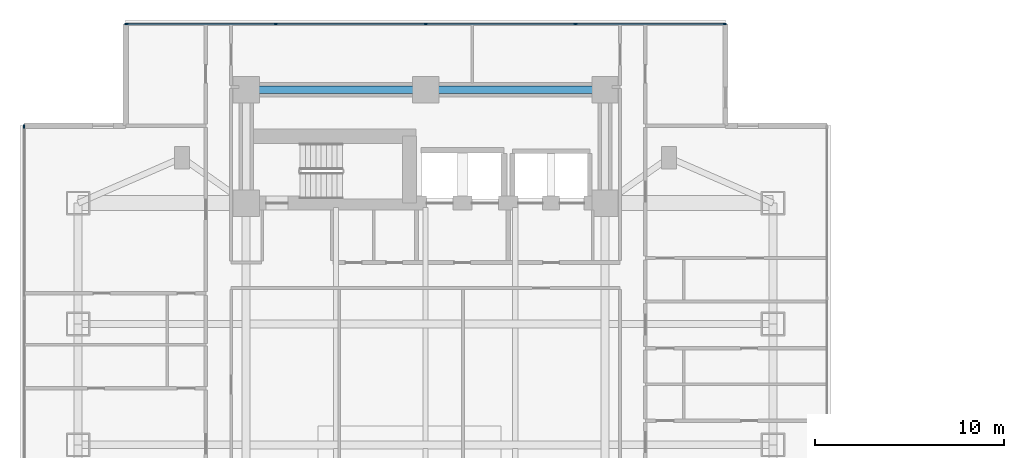
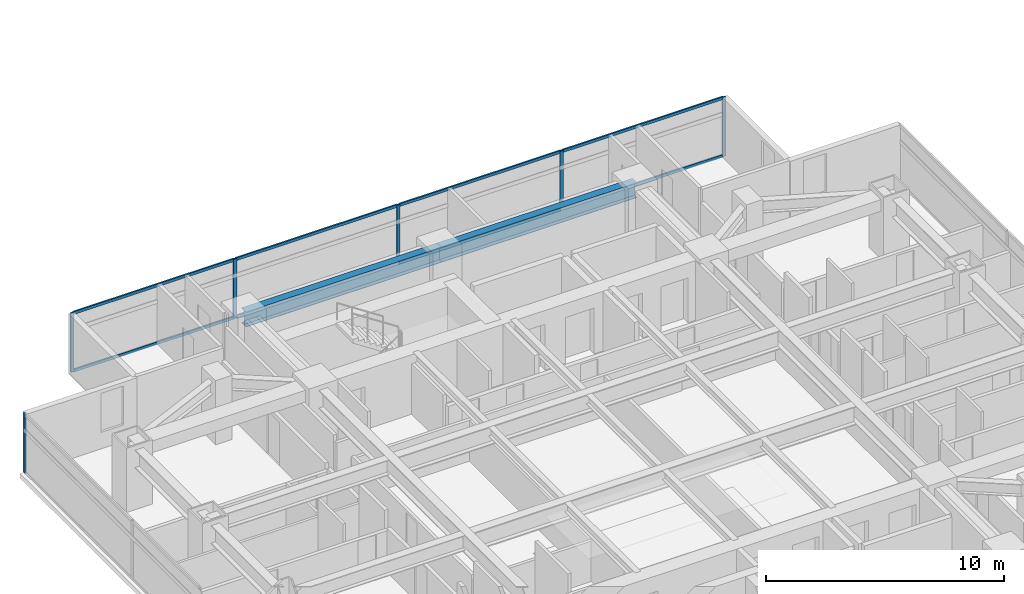
# One storey, part 6 of 26: 14 members, 2 beams, 2 elements without a shape of their own.
"""IFC4 building model written with IfcOpenShell, lengths in metres."""

from ifc_helpers import new_model, si_unit, direction, frame, origin, origin_2d, place, context, subcontext, project, spatial, rectangle, i_section, extrude, material, material_profile, profile_set, type_object, element, aggregate, save


model = new_model("IFC4")

# Units and contexts
model_context = context("Model", 3, precision=1e-05, world=origin(), true_north=direction((0.0, 1.0)))
body_context = subcontext(model_context, "Body", "Model", "MODEL_VIEW")
ifc_project = project(units=[si_unit("LENGTHUNIT", "METRE"), si_unit("AREAUNIT", "SQUARE_METRE"), si_unit("VOLUMEUNIT", "CUBIC_METRE"), si_unit("PLANEANGLEUNIT", "RADIAN"), si_unit("MASSUNIT", "GRAM", prefix="KILO")], contexts=[model_context])

# Site, building, storey
site_placement = place(None, origin())
site = spatial("IfcSite", under=ifc_project, at=site_placement, CompositionType="ELEMENT")
building_placement = place(site_placement, origin())
building = spatial("IfcBuilding", under=site, at=building_placement, Name="Mirazonda Arch Towers", CompositionType="ELEMENT")
storey_placement = place(building_placement, frame((0.0, 0.0, 25.699951171875)))
storey = spatial("IfcBuildingStorey", under=building, at=storey_placement, Name="L06", CompositionType="ELEMENT", Elevation=25.699951171875)

# Beams
ifc_material_1 = material(Name="Steel ASTM A992 Grade 50", Category="steel")
ifc_material_profile_1 = material_profile(ifc_material_1, i_section(OverallWidth=0.381103515625, OverallDepth=0.77294921875, WebThickness=0.0166015625, FlangeThickness=0.027099609375, at=origin_2d()), Name="W30X173")
ifc_profile_set_1 = profile_set([ifc_material_profile_1], Name="Steel ASTM A992 Grade 50")
beam_type = type_object("IfcBeamType", Name="BM-INT-W30X173", PredefinedType="USERDEFINED", material=ifc_profile_set_1)
for number, where, z_axis, x_axis, name in (
    (1, (11.0, 43.60009765625, 2.673583984375), (1.0, 0.0, 0.0), (0.0, 1.0, 0.0), "L06 Floor Beam BM-T1-L06-CN1"),
    (2, (20.5, 43.60009765625, 2.673583984375), (1.0, 0.0, 0.0), (0.0, 1.0, 0.0), "L06 Floor Beam BM-T1-L06-CN2"),
):
    element("IfcBeam", number, at=place(storey_placement, frame(where, z_axis=z_axis, x_axis=x_axis)), inside=storey, type_object=beam_type, Name=name, ObjectType="GIRDER", PredefinedType="USERDEFINED", context=body_context, shape_type="SweptSolid", body=[
        extrude(i_section(OverallWidth=0.381103515625, OverallDepth=0.77294921875, WebThickness=0.0166015625, FlangeThickness=0.027099609375, at=origin_2d()), origin(), (0.0, 0.0, 1.0), 9.5),
    ])

# Curtain wall, members
ifc_material_2 = material(Name="Anodised Aluminium and Low-E Glass", Category="aluminium")
curtain_wall_type = type_object("IfcCurtainWallType", Name="CW-HTL-UNIT", PredefinedType="NOTDEFINED", material=ifc_material_2)
curtain_wall_1_placement = place(storey_placement, origin())
curtain_wall_1 = element("IfcCurtainWall", 3, at=curtain_wall_1_placement, inside=storey, type_object=curtain_wall_type, Name="L06 T1 N Facade CW-L06-T1-N", PredefinedType="NOTDEFINED")
ifc_material_3 = material(Name="Anodised Aluminium Alloy", Category="aluminium")
ifc_material_profile_2 = material_profile(ifc_material_3, rectangle(XDim=0.074951171875, YDim=0.1650390625, at=origin_2d()), Name="ALU-MULL-75x165")
ifc_profile_set_2 = profile_set([ifc_material_profile_2], Name="Anodised Aluminium Alloy")
member_type_1 = type_object("IfcMemberType", Name="MULL-CW-HTL-UNIT", PredefinedType="MULLION", material=ifc_profile_set_2)
member_1_placement = place(storey_placement, frame((4.657470703125, 47.077880859375, 0.0), z_axis=(0.0, 0.0, 1.0), x_axis=(0.0, 1.0, 0.0)))
member_1 = element("IfcMember", 4, at=member_1_placement, type_object=member_type_1, Name="CW-112 mullion 1", PredefinedType="MULLION", context=body_context, shape_type="SweptSolid", body=[
    extrude(rectangle(XDim=0.074951171875, YDim=0.1650390625, at=origin_2d()), origin(), (0.0, 0.0, 1.0), 3.0400390625),
])
member_2_placement = place(storey_placement, frame((12.56005859375, 47.077880859375, 0.0), z_axis=(0.0, 0.0, 1.0), x_axis=(0.0, 1.0, 0.0)))
member_2 = element("IfcMember", 5, at=member_2_placement, type_object=member_type_1, Name="CW-112 mullion 2", PredefinedType="MULLION", context=body_context, shape_type="SweptSolid", body=[
    extrude(rectangle(XDim=0.074951171875, YDim=0.1650390625, at=origin_2d()), origin(), (0.0, 0.0, 1.0), 3.0400390625),
])
member_3_placement = place(storey_placement, frame((20.5, 47.077880859375, 0.0), z_axis=(0.0, 0.0, 1.0), x_axis=(0.0, 1.0, 0.0)))
member_3 = element("IfcMember", 6, at=member_3_placement, type_object=member_type_1, Name="CW-112 mullion 3", PredefinedType="MULLION", context=body_context, shape_type="SweptSolid", body=[
    extrude(rectangle(XDim=0.074951171875, YDim=0.1650390625, at=origin_2d()), origin(), (0.0, 0.0, 1.0), 3.0400390625),
])
member_4_placement = place(storey_placement, frame((28.43994140625, 47.077880859375, 0.0), z_axis=(0.0, 0.0, 1.0), x_axis=(0.0, 1.0, 0.0)))
member_4 = element("IfcMember", 7, at=member_4_placement, type_object=member_type_1, Name="CW-112 mullion 4", PredefinedType="MULLION", context=body_context, shape_type="SweptSolid", body=[
    extrude(rectangle(XDim=0.074951171875, YDim=0.1650390625, at=origin_2d()), origin(), (0.0, 0.0, 1.0), 3.0400390625),
])
member_5_placement = place(storey_placement, frame((36.342529296875, 47.077880859375, 0.0), z_axis=(0.0, 0.0, 1.0), x_axis=(0.0, 1.0, 0.0)))
member_5 = element("IfcMember", 8, at=member_5_placement, type_object=member_type_1, Name="CW-112 mullion 5", PredefinedType="MULLION", context=body_context, shape_type="SweptSolid", body=[
    extrude(rectangle(XDim=0.074951171875, YDim=0.1650390625, at=origin_2d()), origin(), (0.0, 0.0, 1.0), 3.0400390625),
])

# Curtain wall, member
curtain_wall_2_placement = place(storey_placement, origin())
curtain_wall_2 = element("IfcCurtainWall", 9, at=curtain_wall_2_placement, inside=storey, type_object=curtain_wall_type, Name="L06 T1 W Facade CW-L06-T1-W", PredefinedType="NOTDEFINED")
member_6_placement = place(storey_placement, frame((-0.760009765625, 41.660400390625, 0.0), z_axis=(0.0, 0.0, 1.0), x_axis=(1.0, 0.0, 0.0)))
member_6 = element("IfcMember", 10, at=member_6_placement, type_object=member_type_1, Name="CW-112 mullion 1", PredefinedType="MULLION", context=body_context, shape_type="SweptSolid", body=[
    extrude(rectangle(XDim=0.074951171875, YDim=0.1650390625, at=origin_2d()), origin(), (0.0, 0.0, 1.0), 3.0400390625),
])
aggregate(curtain_wall_2, [member_6])

# Member
ifc_material_profile_3 = material_profile(ifc_material_3, rectangle(XDim=0.074951171875, YDim=0.14501953125, at=origin_2d()), Name="ALU-TRAN-75x145")
ifc_profile_set_3 = profile_set([ifc_material_profile_3], Name="Anodised Aluminium Alloy")
member_type_2 = type_object("IfcMemberType", Name="TRAN-CW-HTL-UNIT", PredefinedType="USERDEFINED", material=ifc_profile_set_3)
member_7_placement = place(storey_placement, frame((4.695068359375, 47.077880859375, 0.03759765625), z_axis=(1.0, 0.0, 0.0), x_axis=(0.0, 1.0, 0.0)))
member_7 = element("IfcMember", 11, at=member_7_placement, type_object=member_type_2, Name="CW-112 transom 1.1", ObjectType="TRANSOM", PredefinedType="USERDEFINED", context=body_context, shape_type="SweptSolid", body=[
    extrude(rectangle(XDim=0.074951171875, YDim=0.14501953125, at=origin_2d()), origin(), (0.0, 0.0, 1.0), 7.827392578125),
])

member_8_placement = place(storey_placement, frame((4.695068359375, 47.077880859375, 3.00244140625), z_axis=(1.0, 0.0, 0.0), x_axis=(0.0, 1.0, 0.0)))
member_8 = element("IfcMember", 12, at=member_8_placement, type_object=member_type_2, Name="CW-112 transom 1.2", ObjectType="TRANSOM", PredefinedType="USERDEFINED", context=body_context, shape_type="SweptSolid", body=[
    extrude(rectangle(XDim=0.074951171875, YDim=0.14501953125, at=origin_2d()), origin(), (0.0, 0.0, 1.0), 7.827392578125),
])

member_9_placement = place(storey_placement, frame((12.597412109375, 47.077880859375, 0.03759765625), z_axis=(1.0, 0.0, 0.0), x_axis=(0.0, 1.0, 0.0)))
member_9 = element("IfcMember", 13, at=member_9_placement, type_object=member_type_2, Name="CW-112 transom 2.1", ObjectType="TRANSOM", PredefinedType="USERDEFINED", context=body_context, shape_type="SweptSolid", body=[
    extrude(rectangle(XDim=0.074951171875, YDim=0.14501953125, at=origin_2d()), origin(), (0.0, 0.0, 1.0), 7.864990234375),
])

member_10_placement = place(storey_placement, frame((12.597412109375, 47.077880859375, 3.00244140625), z_axis=(1.0, 0.0, 0.0), x_axis=(0.0, 1.0, 0.0)))
member_10 = element("IfcMember", 14, at=member_10_placement, type_object=member_type_2, Name="CW-112 transom 2.2", ObjectType="TRANSOM", PredefinedType="USERDEFINED", context=body_context, shape_type="SweptSolid", body=[
    extrude(rectangle(XDim=0.074951171875, YDim=0.14501953125, at=origin_2d()), origin(), (0.0, 0.0, 1.0), 7.864990234375),
])

member_11_placement = place(storey_placement, frame((20.53759765625, 47.077880859375, 0.03759765625), z_axis=(1.0, 0.0, 0.0), x_axis=(0.0, 1.0, 0.0)))
member_11 = element("IfcMember", 15, at=member_11_placement, type_object=member_type_2, Name="CW-112 transom 3.1", ObjectType="TRANSOM", PredefinedType="USERDEFINED", context=body_context, shape_type="SweptSolid", body=[
    extrude(rectangle(XDim=0.074951171875, YDim=0.14501953125, at=origin_2d()), origin(), (0.0, 0.0, 1.0), 7.864990234375),
])

member_12_placement = place(storey_placement, frame((20.53759765625, 47.077880859375, 3.00244140625), z_axis=(1.0, 0.0, 0.0), x_axis=(0.0, 1.0, 0.0)))
member_12 = element("IfcMember", 16, at=member_12_placement, type_object=member_type_2, Name="CW-112 transom 3.2", ObjectType="TRANSOM", PredefinedType="USERDEFINED", context=body_context, shape_type="SweptSolid", body=[
    extrude(rectangle(XDim=0.074951171875, YDim=0.14501953125, at=origin_2d()), origin(), (0.0, 0.0, 1.0), 7.864990234375),
])

member_13_placement = place(storey_placement, frame((28.4775390625, 47.077880859375, 0.03759765625), z_axis=(1.0, 0.0, 0.0), x_axis=(0.0, 1.0, 0.0)))
member_13 = element("IfcMember", 17, at=member_13_placement, type_object=member_type_2, Name="CW-112 transom 4.1", ObjectType="TRANSOM", PredefinedType="USERDEFINED", context=body_context, shape_type="SweptSolid", body=[
    extrude(rectangle(XDim=0.074951171875, YDim=0.14501953125, at=origin_2d()), origin(), (0.0, 0.0, 1.0), 7.827392578125),
])

member_14_placement = place(storey_placement, frame((28.4775390625, 47.077880859375, 3.00244140625), z_axis=(1.0, 0.0, 0.0), x_axis=(0.0, 1.0, 0.0)))
member_14 = element("IfcMember", 18, at=member_14_placement, type_object=member_type_2, Name="CW-112 transom 4.2", ObjectType="TRANSOM", PredefinedType="USERDEFINED", context=body_context, shape_type="SweptSolid", body=[
    extrude(rectangle(XDim=0.074951171875, YDim=0.14501953125, at=origin_2d()), origin(), (0.0, 0.0, 1.0), 7.827392578125),
])

aggregate(curtain_wall_1, [member_1, member_2, member_3, member_4, member_5, member_7, member_8, member_9, member_10, member_11, member_12, member_13, member_14])

save(model, "model.ifc")
